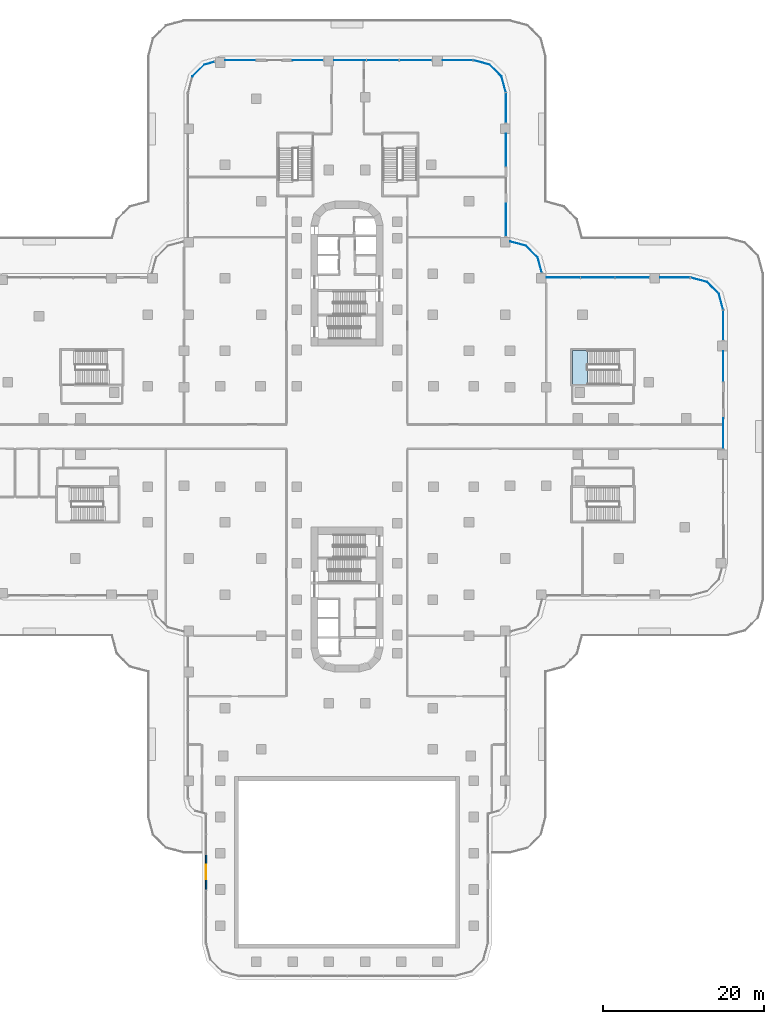
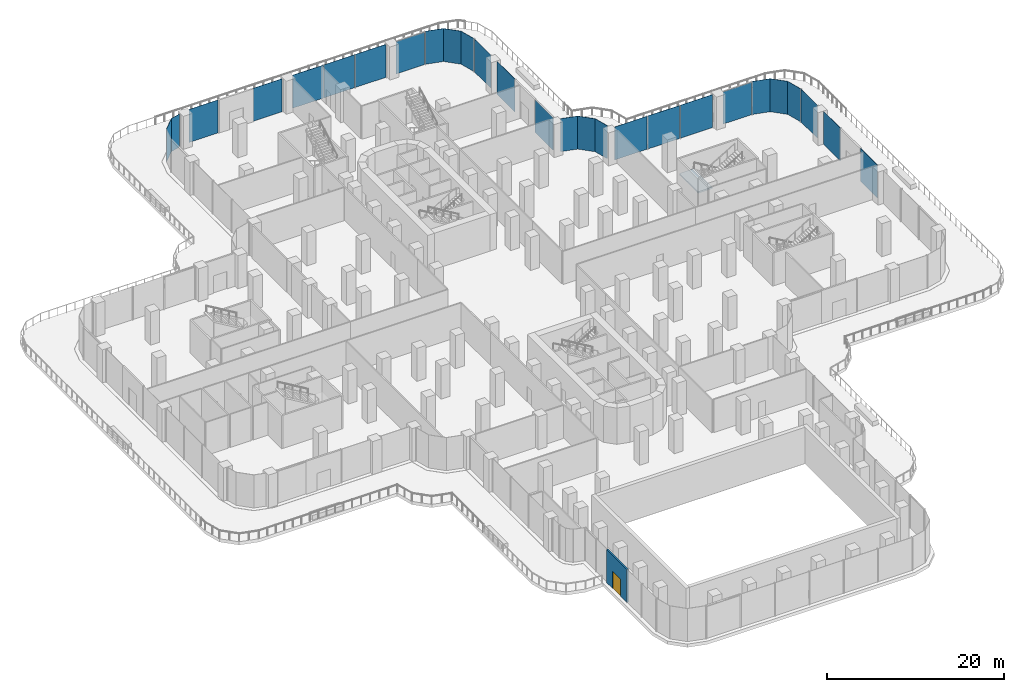
# One storey, part 16 of 29: 27 plates, 1 door, 1 slab, 1 wall, 1 opening, 16 elements without a shape of their own.
"""IFC4 building model written with IfcOpenShell, lengths in metres."""

from ifc_helpers import new_model, si_unit, direction, frame, frame_2d, origin, place, context, subcontext, project, spatial, polyline, rectangle, outline, extrude, source, transform, mapped, material, layer, layer_set, type_object, element, fill, aggregate, save


model = new_model("IFC4")

# Units and contexts
model_context = context("Model", 3, precision=1e-05, world=origin(), true_north=direction((0.0, 1.0)))
body_context = subcontext(model_context, "Body", "Model", "MODEL_VIEW")
ifc_project = project(units=[si_unit("LENGTHUNIT", "METRE"), si_unit("AREAUNIT", "SQUARE_METRE"), si_unit("VOLUMEUNIT", "CUBIC_METRE"), si_unit("PLANEANGLEUNIT", "RADIAN"), si_unit("MASSUNIT", "GRAM", prefix="KILO")], contexts=[model_context])

# Site, building, storey
site_placement = place(None, origin())
site = spatial("IfcSite", under=ifc_project, at=site_placement, CompositionType="ELEMENT")
building_placement = place(site_placement, origin())
building = spatial("IfcBuilding", under=site, at=building_placement, Name="Zarbagh Exchange Tower", CompositionType="ELEMENT")
storey_placement = place(building_placement, frame((0.0, 0.0, 12.0)))
storey = spatial("IfcBuildingStorey", under=building, at=storey_placement, Name="L02", CompositionType="ELEMENT", Elevation=12.0)

# Stair, slab
ifc_material_1 = material(Name="Concrete C40/50", Category="concrete")
stair_type = type_object("IfcStairType", Name="Exit stair two-flight half-turn", PredefinedType="HALF_TURN_STAIR", material=ifc_material_1)
stair_placement = place(storey_placement, origin())
stair = element("IfcStair", 1, at=stair_placement, inside=storey, type_object=stair_type, Name="exit stair PS3", PredefinedType="HALF_TURN_STAIR")
ifc_layer_1 = layer(ifc_material_1, 0.199951171875)
ifc_layer_set_1 = layer_set([ifc_layer_1], Name="Stair landing 200 mm")
slab_type = type_object("IfcSlabType", Name="Stair landing 200 mm", PredefinedType="LANDING", material=ifc_layer_set_1)
slab_placement = place(storey_placement, frame((0.0, 0.0, 2.300048828125)))
slab = element("IfcSlab", 2, at=slab_placement, type_object=slab_type, Name="PS3 landing 1", PredefinedType="LANDING", context=body_context, shape_type="SweptSolid", body=[
    extrude(outline(polyline([(29.8798828125, 10.699951171875), (28.0, 10.699951171875), (28.0, 6.5), (29.8798828125, 6.5), (29.8798828125, 10.699951171875)])), origin(), (0.0, 0.0, 1.0), 0.199951171875),
])
aggregate(stair, [slab])

# Curtain wall, plate
ifc_material_2 = material(Name="Anodised aluminium frame and glazing", Category="aluminium")
curtain_wall_type = type_object("IfcCurtainWallType", Name="CWC Podium garden-wall glazing", PredefinedType="NOTDEFINED", material=ifc_material_2)
curtain_wall_1_placement = place(storey_placement, origin())
curtain_wall_1 = element("IfcCurtainWall", 3, at=curtain_wall_1_placement, inside=storey, type_object=curtain_wall_type, Name="CWC111 curtain wall", PredefinedType="NOTDEFINED")
ifc_material_3 = material(Name="Low-e double glazed unit, 6+12+6 mm")
ifc_layer_2 = layer(ifc_material_3, 0.031982421875)
ifc_layer_set_2 = layer_set([ifc_layer_2], Name="PAC Glazing panel, Low-e double glazed unit, 6+12+6 mm")
plate_type = type_object("IfcPlateType", Name="PAC Glazing panel, Low-e double glazed unit, 6+12+6 mm", PredefinedType="CURTAIN_PANEL", material=ifc_layer_set_2)
shared_shape_1 = source(origin(), body_context, "Body", "SweptSolid", [
    extrude(outline(polyline([(0.0, -0.01611328125), (2.049560546875, -0.01611328125), (2.049560546875, 0.01611328125), (0.0, 0.01611328125), (0.0, -0.01611328125)])), origin(), (0.0, 0.0, 1.0), 4.550048828125),
])
placement = place(storey_placement, origin())
plate_1 = element("IfcPlate", 4, at=placement, type_object=plate_type, Name="CWC111 glazing panel 1.1", PredefinedType="CURTAIN_PANEL", context=body_context, shape_type="MappedRepresentation", body=[
    mapped(shared_shape_1, transform((46.729248046875, 15.761474609375, 0.0), x_axis=(-0.258824779902, 0.965924289636, 0.0), y_axis=(-0.965924289636, -0.258824779902, 0.0), z_axis=(0.0, 0.0, 1.0))),
])
aggregate(curtain_wall_1, [plate_1])

curtain_wall_2_placement = place(storey_placement, origin())
curtain_wall_2 = element("IfcCurtainWall", 5, at=curtain_wall_2_placement, inside=storey, type_object=curtain_wall_type, Name="CWC119 curtain wall", PredefinedType="NOTDEFINED")
plate_2 = element("IfcPlate", 6, at=placement, type_object=plate_type, Name="CWC119 glazing panel 1.1", PredefinedType="CURTAIN_PANEL", context=body_context, shape_type="MappedRepresentation", body=[
    mapped(shared_shape_1, transform((19.729248046875, 42.761474609375, 0.0), x_axis=(-0.258824779902, 0.965924289636, 0.0), y_axis=(-0.965924289636, -0.258824779902, 0.0), z_axis=(0.0, 0.0, 1.0))),
])
aggregate(curtain_wall_2, [plate_2])

curtain_wall_3_placement = place(storey_placement, origin())
curtain_wall_3 = element("IfcCurtainWall", 7, at=curtain_wall_3_placement, inside=storey, type_object=curtain_wall_type, Name="CWC112 curtain wall", PredefinedType="NOTDEFINED")
shared_shape_2 = source(origin(), body_context, "Body", "SweptSolid", [
    extrude(outline(polyline([(0.0, -0.01611328125), (2.061279296875, -0.01611328125), (2.061279296875, 0.01611328125), (0.0, 0.01611328125), (0.0, -0.01611328125)])), origin(), (0.0, 0.0, 1.0), 4.550048828125),
])
plate_3 = element("IfcPlate", 8, at=placement, type_object=plate_type, Name="CWC112 glazing panel 1.1", PredefinedType="CURTAIN_PANEL", context=body_context, shape_type="MappedRepresentation", body=[
    mapped(shared_shape_2, transform((46.19873046875, 17.7412109375, 0.0), x_axis=(-0.707106781187, 0.707106781187, 0.0), y_axis=(-0.707106781187, -0.707106781187, 0.0), z_axis=(0.0, 0.0, 1.0))),
])
aggregate(curtain_wall_3, [plate_3])

curtain_wall_4_placement = place(storey_placement, origin())
curtain_wall_4 = element("IfcCurtainWall", 9, at=curtain_wall_4_placement, inside=storey, type_object=curtain_wall_type, Name="CWC116 curtain wall", PredefinedType="NOTDEFINED")
plate_4 = element("IfcPlate", 10, at=placement, type_object=plate_type, Name="CWC116 glazing panel 1.1", PredefinedType="CURTAIN_PANEL", context=body_context, shape_type="MappedRepresentation", body=[
    mapped(shared_shape_2, transform((23.69873046875, 22.2412109375, 0.0), x_axis=(-0.707106781187, 0.707106781187, 0.0), y_axis=(-0.707106781187, -0.707106781187, 0.0), z_axis=(0.0, 0.0, 1.0))),
])
aggregate(curtain_wall_4, [plate_4])

curtain_wall_5_placement = place(storey_placement, origin())
curtain_wall_5 = element("IfcCurtainWall", 11, at=curtain_wall_5_placement, inside=storey, type_object=curtain_wall_type, Name="CWC120 curtain wall", PredefinedType="NOTDEFINED")
plate_5 = element("IfcPlate", 12, at=placement, type_object=plate_type, Name="CWC120 glazing panel 1.1", PredefinedType="CURTAIN_PANEL", context=body_context, shape_type="MappedRepresentation", body=[
    mapped(shared_shape_2, transform((19.19873046875, 44.7412109375, 0.0), x_axis=(-0.707106781187, 0.707106781187, 0.0), y_axis=(-0.707106781187, -0.707106781187, 0.0), z_axis=(0.0, 0.0, 1.0))),
])
aggregate(curtain_wall_5, [plate_5])

curtain_wall_6_placement = place(storey_placement, origin())
curtain_wall_6 = element("IfcCurtainWall", 13, at=curtain_wall_6_placement, inside=storey, type_object=curtain_wall_type, Name="CWC124 curtain wall", PredefinedType="NOTDEFINED")
plate_6 = element("IfcPlate", 14, at=placement, type_object=plate_type, Name="CWC124 glazing panel 1.1", PredefinedType="CURTAIN_PANEL", context=body_context, shape_type="MappedRepresentation", body=[
    mapped(shared_shape_2, transform((-17.7412109375, 46.19873046875, 0.0), x_axis=(-0.707106781187, -0.707106781187, 0.0), y_axis=(0.707106781187, -0.707106781187, 0.0), z_axis=(0.0, 0.0, 1.0))),
])
aggregate(curtain_wall_6, [plate_6])

# Curtain wall, plates
curtain_wall_7_placement = place(storey_placement, origin())
curtain_wall_7 = element("IfcCurtainWall", 15, at=curtain_wall_7_placement, inside=storey, type_object=curtain_wall_type, Name="CWC122 curtain wall", PredefinedType="NOTDEFINED")
shared_shape_3 = source(origin(), body_context, "Body", "SweptSolid", [
    extrude(outline(polyline([(0.0, -0.01611328125), (3.993408203125, -0.01611328125), (3.993408203125, 0.01611328125), (0.0, 0.01611328125), (0.0, -0.01611328125)])), origin(), (0.0, 0.0, 1.0), 4.550048828125),
])
plate_7 = element("IfcPlate", 16, at=placement, type_object=plate_type, Name="CWC122 glazing panel 2.1", PredefinedType="CURTAIN_PANEL", context=body_context, shape_type="MappedRepresentation", body=[
    mapped(shared_shape_3, transform((10.530029296875, 46.75, 0.0), x_axis=(-1.0, 0.0, 0.0), y_axis=(0.0, -1.0, 0.0), z_axis=(0.0, 0.0, 1.0))),
])
plate_8 = element("IfcPlate", 17, at=placement, type_object=plate_type, Name="CWC122 glazing panel 2.2", PredefinedType="CURTAIN_PANEL", context=body_context, shape_type="MappedRepresentation", body=[
    mapped(shared_shape_3, transform((6.45654296875, 46.75, 0.0), x_axis=(-1.0, 0.0, 0.0), y_axis=(0.0, -1.0, 0.0), z_axis=(0.0, 0.0, 1.0))),
])
plate_9 = element("IfcPlate", 18, at=placement, type_object=plate_type, Name="CWC122 glazing panel 2.3", PredefinedType="CURTAIN_PANEL", context=body_context, shape_type="MappedRepresentation", body=[
    mapped(shared_shape_3, transform((2.38330078125, 46.75, 0.0), x_axis=(-1.0, 0.0, 0.0), y_axis=(0.0, -1.0, 0.0), z_axis=(0.0, 0.0, 1.0))),
])

# Curtain wall, plate
curtain_wall_8_placement = place(storey_placement, origin())
curtain_wall_8 = element("IfcCurtainWall", 19, at=curtain_wall_8_placement, inside=storey, type_object=curtain_wall_type, Name="CWC115 curtain wall", PredefinedType="NOTDEFINED")
shared_shape_4 = source(origin(), body_context, "Body", "SweptSolid", [
    extrude(outline(polyline([(0.0, -0.01611328125), (1.93994140625, -0.01611328125), (1.93994140625, 0.01611328125), (0.0, 0.01611328125), (0.0, -0.01611328125)])), origin(), (0.0, 0.0, 1.0), 4.550048828125),
])
plate_10 = element("IfcPlate", 20, at=placement, type_object=plate_type, Name="CWC115 glazing panel 1.1", PredefinedType="CURTAIN_PANEL", context=body_context, shape_type="MappedRepresentation", body=[
    mapped(shared_shape_4, transform((24.200927734375, 20.367431640625, 0.0), x_axis=(-0.258824779902, 0.965924289636, 0.0), y_axis=(-0.965924289636, -0.258824779902, 0.0), z_axis=(0.0, 0.0, 1.0))),
])
aggregate(curtain_wall_8, [plate_10])

curtain_wall_9_placement = place(storey_placement, origin())
curtain_wall_9 = element("IfcCurtainWall", 21, at=curtain_wall_9_placement, inside=storey, type_object=curtain_wall_type, Name="CWC117 curtain wall", PredefinedType="NOTDEFINED")
shared_shape_5 = source(origin(), body_context, "Body", "SweptSolid", [
    extrude(outline(polyline([(0.0, -0.01611328125), (2.02001953125, -0.01611328125), (2.02001953125, 0.01611328125), (0.0, 0.01611328125), (0.0, -0.01611328125)])), origin(), (0.0, 0.0, 1.0), 4.550048828125),
])
plate_11 = element("IfcPlate", 22, at=placement, type_object=plate_type, Name="CWC117 glazing panel 1.1", PredefinedType="CURTAIN_PANEL", context=body_context, shape_type="MappedRepresentation", body=[
    mapped(shared_shape_5, transform((22.2412109375, 23.69873046875, 0.0), x_axis=(-0.965924289636, 0.258824779902, 0.0), y_axis=(-0.258824779902, -0.965924289636, 0.0), z_axis=(0.0, 0.0, 1.0))),
])
aggregate(curtain_wall_9, [plate_11])

# Curtain wall, plates
curtain_wall_10_placement = place(storey_placement, origin())
curtain_wall_10 = element("IfcCurtainWall", 23, at=curtain_wall_10_placement, inside=storey, type_object=curtain_wall_type, Name="CWC114 curtain wall", PredefinedType="NOTDEFINED")
shared_shape_6 = source(origin(), body_context, "Body", "SweptSolid", [
    extrude(outline(polyline([(0.0, -0.01611328125), (4.193359375, -0.01611328125), (4.193359375, 0.01611328125), (0.0, 0.01611328125), (0.0, -0.01611328125)])), origin(), (0.0, 0.0, 1.0), 4.550048828125),
])
plate_12 = element("IfcPlate", 24, at=placement, type_object=plate_type, Name="CWC114 glazing panel 2.1", PredefinedType="CURTAIN_PANEL", context=body_context, shape_type="MappedRepresentation", body=[
    mapped(shared_shape_6, transform((37.530029296875, 19.75, 0.0), x_axis=(-1.0, 0.0, 0.0), y_axis=(0.0, -1.0, 0.0), z_axis=(0.0, 0.0, 1.0))),
])
plate_13 = element("IfcPlate", 25, at=placement, type_object=plate_type, Name="CWC114 glazing panel 2.2", PredefinedType="CURTAIN_PANEL", context=body_context, shape_type="MappedRepresentation", body=[
    mapped(shared_shape_6, transform((33.256591796875, 19.75, 0.0), x_axis=(-1.0, 0.0, 0.0), y_axis=(0.0, -1.0, 0.0), z_axis=(0.0, 0.0, 1.0))),
])
plate_14 = element("IfcPlate", 26, at=placement, type_object=plate_type, Name="CWC114 glazing panel 2.3", PredefinedType="CURTAIN_PANEL", context=body_context, shape_type="MappedRepresentation", body=[
    mapped(shared_shape_6, transform((28.9833984375, 19.75, 0.0), x_axis=(-1.0, 0.0, 0.0), y_axis=(0.0, -1.0, 0.0), z_axis=(0.0, 0.0, 1.0))),
])

# Curtain wall, plate
curtain_wall_11_placement = place(storey_placement, origin())
curtain_wall_11 = element("IfcCurtainWall", 27, at=curtain_wall_11_placement, inside=storey, type_object=curtain_wall_type, Name="CWC110 curtain wall", PredefinedType="NOTDEFINED")
shared_shape_7 = source(origin(), body_context, "Body", "SweptSolid", [
    extrude(outline(polyline([(0.0, -0.01611328125), (3.714111328125, -0.01611328125), (3.714111328125, 0.01611328125), (0.0, 0.01611328125), (0.0, -0.01611328125)])), origin(), (0.0, 0.0, 1.0), 4.550048828125),
])
plate_15 = element("IfcPlate", 28, at=placement, type_object=plate_type, Name="CWC110 glazing panel 4.1", PredefinedType="CURTAIN_PANEL", context=body_context, shape_type="MappedRepresentation", body=[
    mapped(shared_shape_7, transform((46.75, 11.969970703125, 0.0), x_axis=(0.0, 1.0, 0.0), y_axis=(-1.0, 0.0, 0.0), z_axis=(0.0, 0.0, 1.0))),
])

curtain_wall_12_placement = place(storey_placement, origin())
curtain_wall_12 = element("IfcCurtainWall", 29, at=curtain_wall_12_placement, inside=storey, type_object=curtain_wall_type, Name="CWC118 curtain wall", PredefinedType="NOTDEFINED")
plate_16 = element("IfcPlate", 30, at=placement, type_object=plate_type, Name="CWC118 glazing panel 3.1", PredefinedType="CURTAIN_PANEL", context=body_context, shape_type="MappedRepresentation", body=[
    mapped(shared_shape_7, transform((19.75, 38.969970703125, 0.0), x_axis=(0.0, 1.0, 0.0), y_axis=(-1.0, 0.0, 0.0), z_axis=(0.0, 0.0, 1.0))),
])

curtain_wall_13_placement = place(storey_placement, origin())
curtain_wall_13 = element("IfcCurtainWall", 31, at=curtain_wall_13_placement, inside=storey, type_object=curtain_wall_type, Name="CWC123 curtain wall", PredefinedType="NOTDEFINED")
shared_shape_8 = source(origin(), body_context, "Body", "SweptSolid", [
    extrude(outline(polyline([(0.0, -0.01611328125), (1.31884765625, -0.01611328125), (1.31884765625, 0.01611328125), (0.0, 0.01611328125), (0.0, -0.01611328125)])), origin(), (0.0, 0.0, 1.0), 4.550048828125),
])
plate_17 = element("IfcPlate", 32, at=placement, type_object=plate_type, Name="CWC123 glazing panel 1.1", PredefinedType="CURTAIN_PANEL", context=body_context, shape_type="MappedRepresentation", body=[
    mapped(shared_shape_8, transform((-16.46728515625, 46.540283203125, 0.0), x_axis=(-0.965924289636, -0.258824779902, 0.0), y_axis=(0.258824779902, -0.965924289636, 0.0), z_axis=(0.0, 0.0, 1.0))),
])
aggregate(curtain_wall_13, [plate_17])

# Plate
shared_shape_9 = source(origin(), body_context, "Body", "SweptSolid", [
    extrude(outline(polyline([(0.0, -0.01611328125), (3.780029296875, -0.01611328125), (3.780029296875, 0.01611328125), (0.0, 0.01611328125), (0.0, -0.01611328125)])), origin(), (0.0, 0.0, 1.0), 4.550048828125),
])
plate_18 = element("IfcPlate", 33, at=placement, type_object=plate_type, Name="CWC110 glazing panel 2.1", PredefinedType="CURTAIN_PANEL", context=body_context, shape_type="MappedRepresentation", body=[
    mapped(shared_shape_9, transform((46.75, -1.530029296875, 0.0), x_axis=(0.0, 1.0, 0.0), y_axis=(-1.0, 0.0, 0.0), z_axis=(0.0, 0.0, 1.0))),
])

plate_19 = element("IfcPlate", 34, at=placement, type_object=plate_type, Name="CWC110 glazing panel 3.1", PredefinedType="CURTAIN_PANEL", context=body_context, shape_type="MappedRepresentation", body=[
    mapped(shared_shape_9, transform((46.75, 6.830078125, 0.0), x_axis=(0.0, 1.0, 0.0), y_axis=(-1.0, 0.0, 0.0), z_axis=(0.0, 0.0, 1.0))),
])

aggregate(curtain_wall_11, [plate_18, plate_19, plate_15])

plate_20 = element("IfcPlate", 35, at=placement, type_object=plate_type, Name="CWC122 glazing panel 3.1", PredefinedType="CURTAIN_PANEL", context=body_context, shape_type="MappedRepresentation", body=[
    mapped(shared_shape_9, transform((-2.969970703125, 46.75, 0.0), x_axis=(-1.0, 0.0, 0.0), y_axis=(0.0, -1.0, 0.0), z_axis=(0.0, 0.0, 1.0))),
])

plate_21 = element("IfcPlate", 36, at=placement, type_object=plate_type, Name="CWC122 glazing panel 4.1", PredefinedType="CURTAIN_PANEL", context=body_context, shape_type="MappedRepresentation", body=[
    mapped(shared_shape_9, transform((-11.330078125, 46.75, 0.0), x_axis=(-1.0, 0.0, 0.0), y_axis=(0.0, -1.0, 0.0), z_axis=(0.0, 0.0, 1.0))),
])

# Curtain wall, plate
curtain_wall_14_placement = place(storey_placement, origin())
curtain_wall_14 = element("IfcCurtainWall", 37, at=curtain_wall_14_placement, inside=storey, type_object=curtain_wall_type, Name="CWC113 curtain wall", PredefinedType="NOTDEFINED")
shared_shape_10 = source(origin(), body_context, "Body", "SweptSolid", [
    extrude(outline(polyline([(0.0, -0.01611328125), (2.129638671875, -0.01611328125), (2.129638671875, 0.01611328125), (0.0, 0.01611328125), (0.0, -0.01611328125)])), origin(), (0.0, 0.0, 1.0), 4.550048828125),
])
plate_22 = element("IfcPlate", 38, at=placement, type_object=plate_type, Name="CWC113 glazing panel 1.1", PredefinedType="CURTAIN_PANEL", context=body_context, shape_type="MappedRepresentation", body=[
    mapped(shared_shape_10, transform((44.7412109375, 19.19873046875, 0.0), x_axis=(-0.965924289636, 0.258824779902, 0.0), y_axis=(-0.258824779902, -0.965924289636, 0.0), z_axis=(0.0, 0.0, 1.0))),
])
aggregate(curtain_wall_14, [plate_22])

curtain_wall_15_placement = place(storey_placement, origin())
curtain_wall_15 = element("IfcCurtainWall", 39, at=curtain_wall_15_placement, inside=storey, type_object=curtain_wall_type, Name="CWC121 curtain wall", PredefinedType="NOTDEFINED")
plate_23 = element("IfcPlate", 40, at=placement, type_object=plate_type, Name="CWC121 glazing panel 1.1", PredefinedType="CURTAIN_PANEL", context=body_context, shape_type="MappedRepresentation", body=[
    mapped(shared_shape_10, transform((17.7412109375, 46.19873046875, 0.0), x_axis=(-0.965924289636, 0.258824779902, 0.0), y_axis=(-0.258824779902, -0.965924289636, 0.0), z_axis=(0.0, 0.0, 1.0))),
])
aggregate(curtain_wall_15, [plate_23])

# Plate
shared_shape_11 = source(origin(), body_context, "Body", "SweptSolid", [
    extrude(outline(polyline([(0.0, -0.01611328125), (3.714111328125, -0.01611328125), (3.714111328125, 0.01611328125), (0.0, 0.01611328125), (0.0, -0.01611328125)])), origin(), (0.0, 0.0, 1.0), 4.469970703125),
])
plate_24 = element("IfcPlate", 41, at=placement, type_object=plate_type, Name="CWC114 glazing panel 1.1", PredefinedType="CURTAIN_PANEL", context=body_context, shape_type="MappedRepresentation", body=[
    mapped(shared_shape_11, transform((42.604248046875, 19.75, 0.0), x_axis=(-1.0, 0.0, 0.0), y_axis=(0.0, -1.0, 0.0), z_axis=(0.0, 0.0, 1.0))),
])

aggregate(curtain_wall_10, [plate_24, plate_12, plate_13, plate_14])

plate_25 = element("IfcPlate", 42, at=placement, type_object=plate_type, Name="CWC122 glazing panel 1.1", PredefinedType="CURTAIN_PANEL", context=body_context, shape_type="MappedRepresentation", body=[
    mapped(shared_shape_11, transform((15.604248046875, 46.75, 0.0), x_axis=(-1.0, 0.0, 0.0), y_axis=(0.0, -1.0, 0.0), z_axis=(0.0, 0.0, 1.0))),
])

aggregate(curtain_wall_7, [plate_25, plate_7, plate_8, plate_9, plate_20, plate_21])

shared_shape_12 = source(origin(), body_context, "Body", "SweptSolid", [
    extrude(outline(polyline([(0.0, -0.01611328125), (4.080078125, -0.01611328125), (4.080078125, 0.01611328125), (0.0, 0.01611328125), (0.0, -0.01611328125)])), origin(), (0.0, 0.0, 1.0), 4.550048828125),
])
plate_26 = element("IfcPlate", 43, at=placement, type_object=plate_type, Name="CWC118 glazing panel 2.1", PredefinedType="CURTAIN_PANEL", context=body_context, shape_type="MappedRepresentation", body=[
    mapped(shared_shape_12, transform((19.75, 33.530029296875, 0.0), x_axis=(0.0, 1.0, 0.0), y_axis=(-1.0, 0.0, 0.0), z_axis=(0.0, 0.0, 1.0))),
])

shared_shape_13 = source(origin(), body_context, "Body", "SweptSolid", [
    extrude(outline(polyline([(0.0, -0.01611328125), (4.080078125, -0.01611328125), (4.080078125, 0.01611328125), (0.0, 0.01611328125), (0.0, -0.01611328125)])), origin(), (0.0, 0.0, 1.0), 4.469970703125),
])
plate_27 = element("IfcPlate", 44, at=placement, type_object=plate_type, Name="CWC118 glazing panel 1.1", PredefinedType="CURTAIN_PANEL", context=body_context, shape_type="MappedRepresentation", body=[
    mapped(shared_shape_13, transform((19.75, 24.8701171875, 0.0), x_axis=(0.0, 1.0, 0.0), y_axis=(-1.0, 0.0, 0.0), z_axis=(0.0, 0.0, 1.0))),
])

aggregate(curtain_wall_12, [plate_27, plate_26, plate_16])

# Wall, opening, door
ifc_material_4 = material(Name="Precast concrete C50/60", Category="concrete")
ifc_layer_3 = layer(ifc_material_4, 0.199951171875)
ifc_layer_set_3 = layer_set([ifc_layer_3], Name="Terrace door wall, precast concrete C50/60")
wall_type = type_object("IfcWallType", Name="Terrace door wall, precast concrete C50/60", PredefinedType="SOLIDWALL", material=ifc_layer_set_3)
wall_placement = place(storey_placement, frame((-17.5, -51.810302734375, 0.0), z_axis=(0.0, 0.0, 1.0), x_axis=(0.0, -1.0, 0.0)))
wall = element("IfcWall", 45, at=wall_placement, inside=storey, type_object=wall_type, Name="TW17 door wall", PredefinedType="SOLIDWALL", context=body_context, shape_type="SweptSolid", body=[
    extrude(rectangle(XDim=4.579833984375, YDim=0.199951171875, at=frame_2d((2.2900390625, 0.0))), origin(), (0.0, 0.0, 1.0), 4.550048828125),
])
opening_placement = place(wall_placement, frame((1.389892578125, 0.0, 0.0)))
opening = element("IfcOpeningElement", 46, at=opening_placement, cuts=wall, Name="Opening TD03", PredefinedType="OPENING", context=body_context, shape_type="SweptSolid", body=[
    extrude(rectangle(XDim=1.800048828125, YDim=2.39990234375, at=frame_2d((0.89990234375, 1.199951171875))), frame((0.0, 0.10986328125, 0.0), z_axis=(0.0, -1.0, 0.0), x_axis=(1.0, 0.0, 0.0)), (0.0, 0.0, 1.0), 0.219970703125),
])
ifc_material_5 = material(Name="Anodised aluminium and glass", Category="aluminium")
door_type = type_object("IfcDoorType", Name="Terrace door, double leaf, aluminium and glass", OperationType="DOUBLE_DOOR_DOUBLE_SWING", PredefinedType="DOOR", material=ifc_material_5)
door_placement = place(opening_placement, origin())
door = element("IfcDoor", 47, at=door_placement, inside=storey, type_object=door_type, Name="TD03 terrace door", OperationType="SINGLE_SWING_LEFT", OverallHeight=2.39990234375, OverallWidth=1.800048828125, PredefinedType="DOOR", context=body_context, shape_type="SweptSolid", body=[
    extrude(rectangle(XDim=1.800048828125, YDim=2.39990234375, at=frame_2d((0.89990234375, 1.199951171875))), frame((0.0, 0.02490234375, 0.0), z_axis=(0.0, -1.0, 0.0), x_axis=(1.0, 0.0, 0.0)), (0.0, 0.0, 1.0), 0.050048828125),
])
fill(opening, door)

save(model, "model.ifc")
